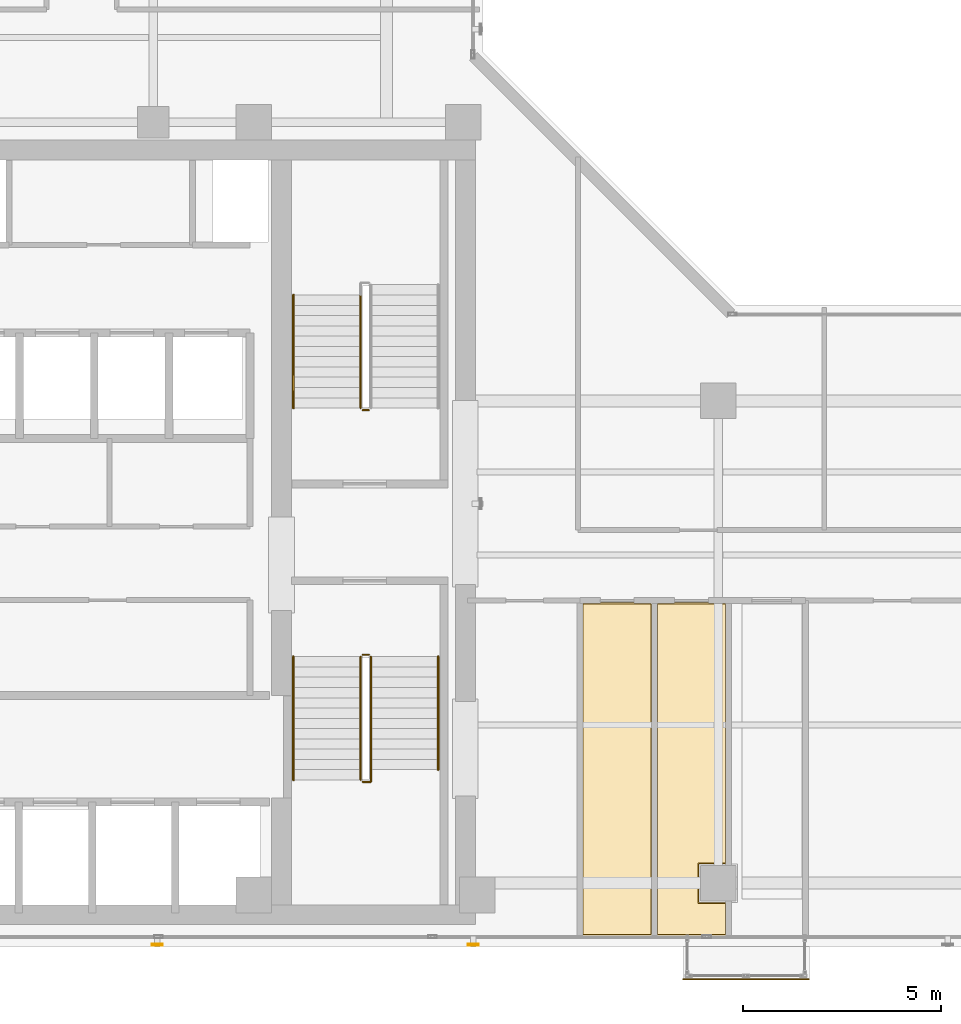
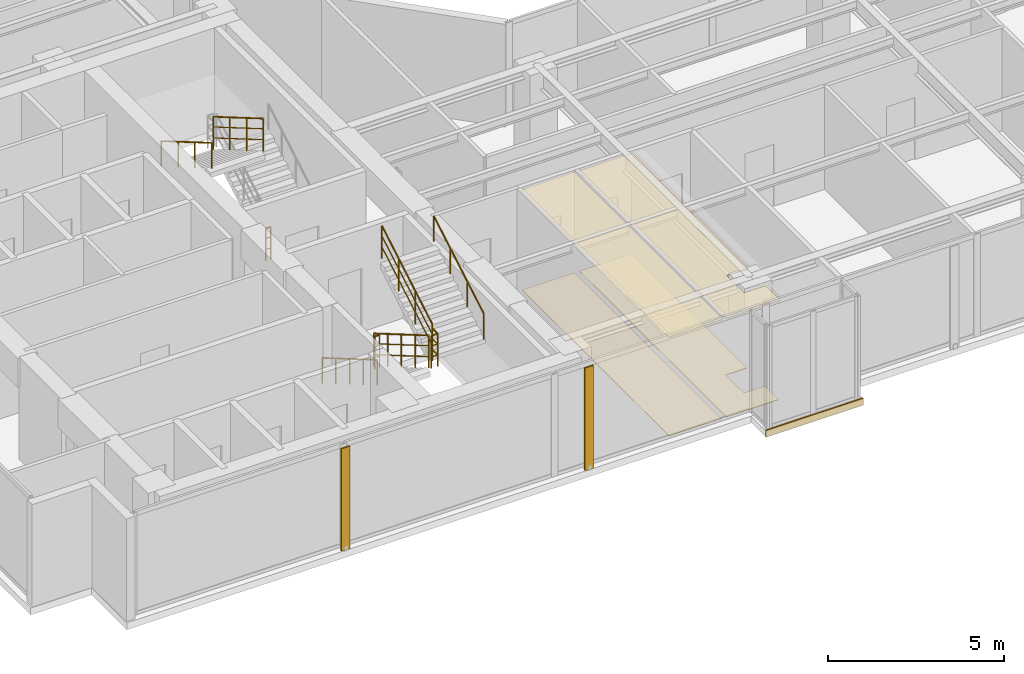
# One storey, part 20 of 22: 9 railings, 5 coverings, 2 shading devices.
"""IFC4 building model written with IfcOpenShell, lengths in metres."""

from ifc_helpers import new_model, si_unit, direction, frame, origin, origin_2d, place, context, subcontext, project, spatial, polyline, rectangle, hollow_rectangle, circle, outline, extrude, material, layer, layer_set, material_profile, profile_set, type_object, element, save


model = new_model("IFC4")

# Units and contexts
model_context = context("Model", 3, precision=1e-05, world=origin(), true_north=direction((0.0, 1.0)))
body_context = subcontext(model_context, "Body", "Model", "MODEL_VIEW")
ifc_project = project(units=[si_unit("LENGTHUNIT", "METRE"), si_unit("AREAUNIT", "SQUARE_METRE"), si_unit("VOLUMEUNIT", "CUBIC_METRE"), si_unit("PLANEANGLEUNIT", "RADIAN"), si_unit("MASSUNIT", "GRAM", prefix="KILO")], contexts=[model_context])

# Site, building, storey
site_placement = place(None, origin())
site = spatial("IfcSite", under=ifc_project, at=site_placement, CompositionType="ELEMENT")
building_placement = place(site_placement, origin())
building = spatial("IfcBuilding", under=site, at=building_placement, Name="Kolvaren Waterfront Exchange", CompositionType="ELEMENT")
storey_placement = place(building_placement, frame((0.0, 0.0, 323.60009765625)))
storey = spatial("IfcBuildingStorey", under=building, at=storey_placement, Name="L83", CompositionType="ELEMENT", Elevation=323.60009765625)

# Coverings
ifc_material_1 = material(Name="Mineral fibre acoustic ceiling tile")
ifc_layer_1 = layer(ifc_material_1, 0.02490234375, Name="Mineral fibre acoustic ceiling tile")
ifc_layer_set_1 = layer_set([ifc_layer_1], Name="Mineral fibre acoustic ceiling tile")
covering_type_1 = type_object("IfcCoveringType", Name="ARC-CEIL-ACOUSTIC-25", PredefinedType="CEILING", material=ifc_layer_set_1)
covering_1_placement = place(storey_placement, frame((0.0, 0.0, 3.44482421875)))
element("IfcCovering", 1, at=covering_1_placement, inside=storey, type_object=covering_type_1, Name="L83 acoustic suspended ceiling 1", PredefinedType="CEILING", context=body_context, shape_type="SweptSolid", body=[
    extrude(outline(polyline([(25.534912109375, 3.864990234375), (25.534912109375, 12.294921875), (23.7451171875, 12.294921875), (23.7451171875, 3.864990234375), (25.534912109375, 3.864990234375)])), origin(), (0.0, 0.0, 1.0), 0.025146484375),
])
covering_2_placement = place(storey_placement, frame((0.0, 0.0, 3.44482421875)))
element("IfcCovering", 2, at=covering_2_placement, inside=storey, type_object=covering_type_1, Name="L83 acoustic suspended ceiling 2", PredefinedType="CEILING", context=body_context, shape_type="SweptSolid", body=[
    extrude(outline(polyline([(27.4150390625, 4.7099609375), (26.7099609375, 4.7099609375), (26.7099609375, 5.68994140625), (27.4150390625, 5.68994140625), (27.4150390625, 12.294921875), (25.625, 12.294921875), (25.625, 3.864990234375), (27.4150390625, 3.864990234375), (27.4150390625, 4.7099609375)])), origin(), (0.0, 0.0, 1.0), 0.025146484375),
])
ifc_material_2 = material(Name="Anodised bronze fascia aluminium", Category="aluminium")
ifc_layer_2 = layer(ifc_material_2, 0.034912109375, Name="Anodised bronze fascia aluminium")
ifc_layer_set_2 = layer_set([ifc_layer_2], Name="Anodised bronze fascia aluminium")
covering_type_2 = type_object("IfcCoveringType", Name="ARC-CLAD-BRONZE-35", PredefinedType="CLADDING", material=ifc_layer_set_2)
covering_3_placement = place(storey_placement, frame((27.89990234375, 2.77001953125, -0.22021484375), z_axis=(0.0, 0.0, 1.0), x_axis=(1.0, 0.0, 0.0)))
element("IfcCovering", 3, at=covering_3_placement, inside=storey, type_object=covering_type_2, Name="L83 ribbed anodised bronze bay-box fascia", PredefinedType="CLADDING", context=body_context, shape_type="SweptSolid", body=[
    extrude(rectangle(XDim=3.199951171875, YDim=0.034912109375, at=origin_2d()), origin(), (0.0, 0.0, 1.0), 0.239990234375),
])

# Shading devices
ifc_material_3 = material(Name="Anodised bronze aluminium 6063-T6", Category="aluminium")
ifc_material_profile = material_profile(ifc_material_3, hollow_rectangle(XDim=0.054931640625, YDim=0.280029296875, WallThickness=0.00439453125, at=origin_2d()), Name="BRZ-FIN-280x55x4.5")
ifc_profile_set = profile_set([ifc_material_profile], Name="Anodised bronze aluminium 6063-T6")
shading_device_type = type_object("IfcShadingDeviceType", Name="ARC-FIN-280", PredefinedType="USERDEFINED", material=ifc_profile_set)
for number, where, z_axis, x_axis, name in (
    (4, (13.0, 3.639892578125, 0.0), (0.0, 0.0, 1.0), (0.0, -1.0, 0.0), "L83 anodised bronze solar shading fin FIN-L83-S1"),
    (5, (21.0, 3.639892578125, 0.0), (0.0, 0.0, 1.0), (0.0, -1.0, 0.0), "L83 anodised bronze solar shading fin FIN-L83-S2"),
):
    element("IfcShadingDevice", number, at=place(storey_placement, frame(where, z_axis=z_axis, x_axis=x_axis)), inside=storey, type_object=shading_device_type, Name=name, ObjectType="SOLAR FIN", PredefinedType="USERDEFINED", context=body_context, shape_type="SweptSolid", body=[
        extrude(hollow_rectangle(XDim=0.054931640625, YDim=0.280029296875, WallThickness=0.00439453125, at=origin_2d()), origin(), (0.0, 0.0, 1.0), 3.559814453125),
    ])

# Coverings
ifc_material_4 = material(Name="Slip-resistant porcelain tile")
ifc_layer_3 = layer(ifc_material_4, 0.014892578125, Name="Slip-resistant porcelain tile")
ifc_layer_set_3 = layer_set([ifc_layer_3], Name="Slip-resistant porcelain tile")
covering_type_3 = type_object("IfcCoveringType", Name="ARC-FLR-PORC-15", PredefinedType="FLOORING", material=ifc_layer_set_3)
covering_4_placement = place(storey_placement, origin())
element("IfcCovering", 6, at=covering_4_placement, inside=storey, type_object=covering_type_3, Name="L83 floor finish 1", PredefinedType="FLOORING", context=body_context, shape_type="SweptSolid", body=[
    extrude(outline(polyline([(23.780029296875, 12.260009765625), (23.780029296875, 3.89990234375), (25.5, 3.89990234375), (25.5, 12.260009765625), (23.780029296875, 12.260009765625)])), origin(), (0.0, 0.0, 1.0), 0.014892578125),
])
covering_5_placement = place(storey_placement, origin())
element("IfcCovering", 7, at=covering_5_placement, inside=storey, type_object=covering_type_3, Name="L83 floor finish 2", PredefinedType="FLOORING", context=body_context, shape_type="SweptSolid", body=[
    extrude(outline(polyline([(25.659912109375, 12.260009765625), (25.659912109375, 3.89990234375), (27.3798828125, 3.89990234375), (27.3798828125, 4.68994140625), (26.68994140625, 4.68994140625), (26.68994140625, 5.7099609375), (27.3798828125, 5.7099609375), (27.3798828125, 12.260009765625), (25.659912109375, 12.260009765625)])), origin(), (0.0, 0.0, 1.0), 0.014892578125),
])

# Railings
ifc_material_5 = material(Name="Stainless steel 316", Category="steel")
railing_type_1 = type_object("IfcRailingType", Name="ARC-GUARD-STAIR", PredefinedType="GUARDRAIL", material=ifc_material_5)
railing_1_placement = place(storey_placement, frame((18.14990234375, 10.929931640625, 0.15185546875)))
element("IfcRailing", 8, at=railing_1_placement, inside=storey, type_object=railing_type_1, Name="L83 ST1 stair guard 1", PredefinedType="GUARDRAIL", context=body_context, shape_type="SweptSolid", body=[
    extrude(circle(Radius=0.02392578125, at=origin_2d()), frame((0.0, 0.0, 1.1259765625), z_axis=(0.0, -0.86329090724, 0.504706656858), x_axis=(1.0, 0.0, 0.0)), (0.0, 0.0, 1.0), 3.614013671875),
    extrude(circle(Radius=0.01611328125, at=origin_2d()), frame((0.0, 0.0, 0.390869140625), z_axis=(0.0, -0.86329090724, 0.504706656858), x_axis=(1.0, 0.0, 0.0)), (0.0, 0.0, 1.0), 3.614013671875),
    extrude(circle(Radius=0.01611328125, at=origin_2d()), frame((0.0, 0.0, 0.7705078125), z_axis=(0.0, -0.86329090724, 0.504706656858), x_axis=(1.0, 0.0, 0.0)), (0.0, 0.0, 1.0), 3.614013671875),
    extrude(circle(Radius=0.02099609375, at=origin_2d()), origin(), (0.0, 0.0, 1.0), 1.101806640625),
    extrude(circle(Radius=0.02099609375, at=origin_2d()), frame((0.0, -0.780029296875, 0.4560546875)), (0.0, 0.0, 1.0), 1.101806640625),
    extrude(circle(Radius=0.02099609375, at=origin_2d()), frame((0.0, -1.56005859375, 0.912109375)), (0.0, 0.0, 1.0), 1.101806640625),
    extrude(circle(Radius=0.02099609375, at=origin_2d()), frame((0.0, -2.33984375, 1.367919921875)), (0.0, 0.0, 1.0), 1.101806640625),
    extrude(circle(Radius=0.02099609375, at=origin_2d()), frame((0.0, -3.119873046875, 1.823974609375)), (0.0, 0.0, 1.0), 1.101806640625),
])
railing_2_placement = place(storey_placement, frame((18.199951171875, 7.760009765625, 1.975830078125)))
element("IfcRailing", 9, at=railing_2_placement, inside=storey, type_object=railing_type_1, Name="L83 ST1 stair guard 2", PredefinedType="GUARDRAIL", context=body_context, shape_type="SweptSolid", body=[
    extrude(circle(Radius=0.02392578125, at=origin_2d()), frame((0.0, 0.0, 1.1259765625), z_axis=(1.0, 0.0, 0.0), x_axis=(0.0, 1.0, 0.0)), (0.0, 0.0, 1.0), 0.2099609375),
    extrude(circle(Radius=0.01611328125, at=origin_2d()), frame((0.0, 0.0, 0.390869140625), z_axis=(1.0, 0.0, 0.0), x_axis=(0.0, 1.0, 0.0)), (0.0, 0.0, 1.0), 0.2099609375),
    extrude(circle(Radius=0.01611328125, at=origin_2d()), frame((0.0, 0.0, 0.7705078125), z_axis=(1.0, 0.0, 0.0), x_axis=(0.0, 1.0, 0.0)), (0.0, 0.0, 1.0), 0.2099609375),
    extrude(circle(Radius=0.02392578125, at=origin_2d()), frame((0.2099609375, 0.0, 1.1259765625), z_axis=(0.0, 1.0, 0.0), x_axis=(-1.0, 0.0, 0.0)), (0.0, 0.0, 1.0), 0.31005859375),
    extrude(circle(Radius=0.01611328125, at=origin_2d()), frame((0.2099609375, 0.0, 0.390869140625), z_axis=(0.0, 1.0, 0.0), x_axis=(-1.0, 0.0, 0.0)), (0.0, 0.0, 1.0), 0.31005859375),
    extrude(circle(Radius=0.01611328125, at=origin_2d()), frame((0.2099609375, 0.0, 0.7705078125), z_axis=(0.0, 1.0, 0.0), x_axis=(-1.0, 0.0, 0.0)), (0.0, 0.0, 1.0), 0.31005859375),
    extrude(circle(Radius=0.02099609375, at=origin_2d()), origin(), (0.0, 0.0, 1.0), 1.101806640625),
    extrude(circle(Radius=0.02099609375, at=origin_2d()), frame((0.2099609375, 0.0, 0.0)), (0.0, 0.0, 1.0), 1.101806640625),
    extrude(circle(Radius=0.02099609375, at=origin_2d()), frame((0.2099609375, 0.31005859375, 0.0)), (0.0, 0.0, 1.0), 1.101806640625),
])
railing_3_placement = place(storey_placement, frame((18.409912109375, 8.070068359375, 2.1279296875)))
element("IfcRailing", 10, at=railing_3_placement, inside=storey, type_object=railing_type_1, Name="L83 ST1 stair guard 3", PredefinedType="GUARDRAIL", context=body_context, shape_type="SweptSolid", body=[
    extrude(circle(Radius=0.02392578125, at=origin_2d()), frame((0.0, 0.0, 1.1259765625), z_axis=(0.0, 0.86330272217, 0.504686447108), x_axis=(-1.0, 0.0, 0.0)), (0.0, 0.0, 1.0), 3.312744140625),
    extrude(circle(Radius=0.01611328125, at=origin_2d()), frame((0.0, 0.0, 0.390869140625), z_axis=(0.0, 0.86330272217, 0.504686447108), x_axis=(-1.0, 0.0, 0.0)), (0.0, 0.0, 1.0), 3.312744140625),
    extrude(circle(Radius=0.01611328125, at=origin_2d()), frame((0.0, 0.0, 0.7705078125), z_axis=(0.0, 0.86330272217, 0.504686447108), x_axis=(-1.0, 0.0, 0.0)), (0.0, 0.0, 1.0), 3.312744140625),
    extrude(circle(Radius=0.02099609375, at=origin_2d()), origin(), (0.0, 0.0, 1.0), 1.101806640625),
    extrude(circle(Radius=0.02099609375, at=origin_2d()), frame((0.0, 0.953369140625, 0.557373046875)), (0.0, 0.0, 1.0), 1.101806640625),
    extrude(circle(Radius=0.02099609375, at=origin_2d()), frame((0.0, 1.906494140625, 1.114501953125)), (0.0, 0.0, 1.0), 1.101806640625),
    extrude(circle(Radius=0.02099609375, at=origin_2d()), frame((0.0, 2.85986328125, 1.671875)), (0.0, 0.0, 1.0), 1.101806640625),
])
railing_4_placement = place(storey_placement, frame((18.199951171875, 10.97998046875, 0.0)))
element("IfcRailing", 11, at=railing_4_placement, inside=storey, type_object=railing_type_1, Name="L83 ST1 stair guard 4", PredefinedType="GUARDRAIL", context=body_context, shape_type="SweptSolid", body=[
    extrude(circle(Radius=0.02392578125, at=origin_2d()), frame((0.0, 0.0, 1.1259765625), z_axis=(1.0, 0.0, 0.0), x_axis=(0.0, 1.0, 0.0)), (0.0, 0.0, 1.0), 0.16015625),
    extrude(circle(Radius=0.01611328125, at=origin_2d()), frame((0.0, 0.0, 0.390869140625), z_axis=(1.0, 0.0, 0.0), x_axis=(0.0, 1.0, 0.0)), (0.0, 0.0, 1.0), 0.16015625),
    extrude(circle(Radius=0.01611328125, at=origin_2d()), frame((0.0, 0.0, 0.7705078125), z_axis=(1.0, 0.0, 0.0), x_axis=(0.0, 1.0, 0.0)), (0.0, 0.0, 1.0), 0.16015625),
    extrude(circle(Radius=0.02099609375, at=origin_2d()), origin(), (0.0, 0.0, 1.0), 1.101806640625),
    extrude(circle(Radius=0.02099609375, at=origin_2d()), frame((0.16015625, 0.0, 0.0)), (0.0, 0.0, 1.0), 1.101806640625),
])
railing_5_placement = place(storey_placement, frame((18.14990234375, 20.080078125, 2.1279296875)))
element("IfcRailing", 12, at=railing_5_placement, inside=storey, type_object=railing_type_1, Name="L83 ST2 stair guard 3", PredefinedType="GUARDRAIL", context=body_context, shape_type="SweptSolid", body=[
    extrude(circle(Radius=0.02392578125, at=origin_2d()), frame((0.0, 0.0, 1.1259765625), z_axis=(0.0, -0.863321491973, 0.504654338629), x_axis=(1.0, 0.0, 0.0)), (0.0, 0.0, 1.0), 3.31298828125),
    extrude(circle(Radius=0.01611328125, at=origin_2d()), frame((0.0, 0.0, 0.390869140625), z_axis=(0.0, -0.863321491973, 0.504654338629), x_axis=(1.0, 0.0, 0.0)), (0.0, 0.0, 1.0), 3.31298828125),
    extrude(circle(Radius=0.01611328125, at=origin_2d()), frame((0.0, 0.0, 0.7705078125), z_axis=(0.0, -0.863321491973, 0.504654338629), x_axis=(1.0, 0.0, 0.0)), (0.0, 0.0, 1.0), 3.31298828125),
    extrude(circle(Radius=0.02099609375, at=origin_2d()), origin(), (0.0, 0.0, 1.0), 1.101806640625),
    extrude(circle(Radius=0.02099609375, at=origin_2d()), frame((0.0, -0.953369140625, 0.557373046875)), (0.0, 0.0, 1.0), 1.101806640625),
    extrude(circle(Radius=0.02099609375, at=origin_2d()), frame((0.0, -1.90673828125, 1.114501953125)), (0.0, 0.0, 1.0), 1.101806640625),
    extrude(circle(Radius=0.02099609375, at=origin_2d()), frame((0.0, -2.860107421875, 1.671875)), (0.0, 0.0, 1.0), 1.101806640625),
])
railing_6_placement = place(storey_placement, frame((18.360107421875, 17.169921875, 0.0)))
element("IfcRailing", 13, at=railing_6_placement, inside=storey, type_object=railing_type_1, Name="L83 ST2 stair guard 4", PredefinedType="GUARDRAIL", context=body_context, shape_type="SweptSolid", body=[
    extrude(circle(Radius=0.02392578125, at=origin_2d()), frame((0.0, 0.0, 1.1259765625), z_axis=(-1.0, 0.0, 0.0), x_axis=(0.0, -1.0, 0.0)), (0.0, 0.0, 1.0), 0.16015625),
    extrude(circle(Radius=0.01611328125, at=origin_2d()), frame((0.0, 0.0, 0.390869140625), z_axis=(-1.0, 0.0, 0.0), x_axis=(0.0, -1.0, 0.0)), (0.0, 0.0, 1.0), 0.16015625),
    extrude(circle(Radius=0.01611328125, at=origin_2d()), frame((0.0, 0.0, 0.7705078125), z_axis=(-1.0, 0.0, 0.0), x_axis=(0.0, -1.0, 0.0)), (0.0, 0.0, 1.0), 0.16015625),
    extrude(circle(Radius=0.02099609375, at=origin_2d()), origin(), (0.0, 0.0, 1.0), 1.101806640625),
    extrude(circle(Radius=0.02099609375, at=origin_2d()), frame((-0.16015625, 0.0, 0.0)), (0.0, 0.0, 1.0), 1.101806640625),
])
railing_type_2 = type_object("IfcRailingType", Name="ARC-HANDRAIL-900", PredefinedType="HANDRAIL", material=ifc_material_5)
railing_7_placement = place(storey_placement, frame((16.449951171875, 10.929931640625, 0.15185546875)))
element("IfcRailing", 14, at=railing_7_placement, inside=storey, type_object=railing_type_2, Name="L83 ST1 stair handrail 1", PredefinedType="HANDRAIL", context=body_context, shape_type="SweptSolid", body=[
    extrude(circle(Radius=0.02392578125, at=origin_2d()), frame((0.0, 0.0, 0.8759765625), z_axis=(0.0, -0.86329090724, 0.504706656858), x_axis=(1.0, 0.0, 0.0)), (0.0, 0.0, 1.0), 3.614013671875),
    extrude(circle(Radius=0.02099609375, at=origin_2d()), origin(), (0.0, 0.0, 1.0), 0.851806640625),
    extrude(circle(Radius=0.02099609375, at=origin_2d()), frame((0.0, -0.780029296875, 0.4560546875)), (0.0, 0.0, 1.0), 0.851806640625),
    extrude(circle(Radius=0.02099609375, at=origin_2d()), frame((0.0, -1.56005859375, 0.912109375)), (0.0, 0.0, 1.0), 0.851806640625),
    extrude(circle(Radius=0.02099609375, at=origin_2d()), frame((0.0, -2.33984375, 1.367919921875)), (0.0, 0.0, 1.0), 0.851806640625),
    extrude(circle(Radius=0.02099609375, at=origin_2d()), frame((0.0, -3.119873046875, 1.823974609375)), (0.0, 0.0, 1.0), 0.851806640625),
])
railing_8_placement = place(storey_placement, frame((20.110107421875, 8.070068359375, 2.1279296875)))
element("IfcRailing", 15, at=railing_8_placement, inside=storey, type_object=railing_type_2, Name="L83 ST1 stair handrail 2", PredefinedType="HANDRAIL", context=body_context, shape_type="SweptSolid", body=[
    extrude(circle(Radius=0.02392578125, at=origin_2d()), frame((0.0, 0.0, 0.8759765625), z_axis=(0.0, 0.86330272217, 0.504686447108), x_axis=(-1.0, 0.0, 0.0)), (0.0, 0.0, 1.0), 3.312744140625),
    extrude(circle(Radius=0.02099609375, at=origin_2d()), origin(), (0.0, 0.0, 1.0), 0.851806640625),
    extrude(circle(Radius=0.02099609375, at=origin_2d()), frame((0.0, 0.953369140625, 0.557373046875)), (0.0, 0.0, 1.0), 0.851806640625),
    extrude(circle(Radius=0.02099609375, at=origin_2d()), frame((0.0, 1.906494140625, 1.114501953125)), (0.0, 0.0, 1.0), 0.851806640625),
    extrude(circle(Radius=0.02099609375, at=origin_2d()), frame((0.0, 2.85986328125, 1.671875)), (0.0, 0.0, 1.0), 0.851806640625),
])
railing_9_placement = place(storey_placement, frame((16.449951171875, 20.080078125, 2.1279296875)))
element("IfcRailing", 16, at=railing_9_placement, inside=storey, type_object=railing_type_2, Name="L83 ST2 stair handrail 2", PredefinedType="HANDRAIL", context=body_context, shape_type="SweptSolid", body=[
    extrude(circle(Radius=0.02392578125, at=origin_2d()), frame((0.0, 0.0, 0.8759765625), z_axis=(0.0, -0.863321491973, 0.504654338629), x_axis=(1.0, 0.0, 0.0)), (0.0, 0.0, 1.0), 3.31298828125),
    extrude(circle(Radius=0.02099609375, at=origin_2d()), origin(), (0.0, 0.0, 1.0), 0.851806640625),
    extrude(circle(Radius=0.02099609375, at=origin_2d()), frame((0.0, -0.953369140625, 0.557373046875)), (0.0, 0.0, 1.0), 0.851806640625),
    extrude(circle(Radius=0.02099609375, at=origin_2d()), frame((0.0, -1.90673828125, 1.114501953125)), (0.0, 0.0, 1.0), 0.851806640625),
    extrude(circle(Radius=0.02099609375, at=origin_2d()), frame((0.0, -2.860107421875, 1.671875)), (0.0, 0.0, 1.0), 0.851806640625),
])

save(model, "model.ifc")
